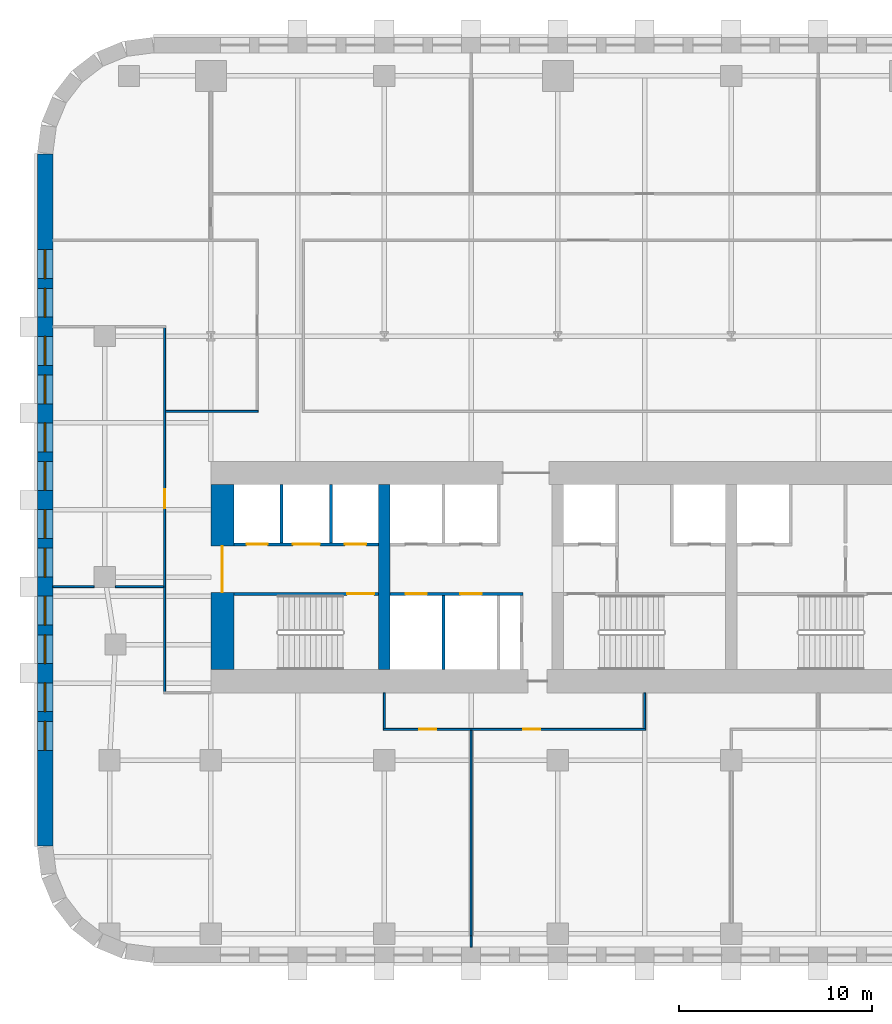
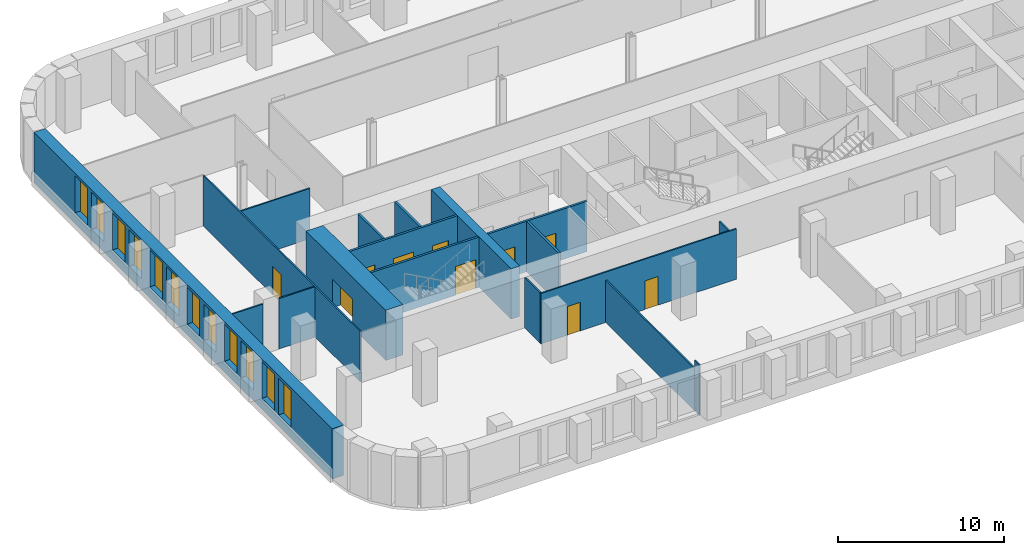
# One storey, part 3 of 12: 18 walls, 12 windows, 10 doors, 22 openings.
"""IFC4 building model written with IfcOpenShell, lengths in metres."""

from ifc_helpers import new_model, si_unit, direction, frame, frame_2d, origin, place, context, subcontext, project, spatial, rectangle, extrude, material, layer, layer_set, type_object, element, fill, save


model = new_model("IFC4")

# Units and contexts
model_context = context("Model", 3, precision=1e-05, world=origin(), true_north=direction((0.0, 1.0)))
body_context = subcontext(model_context, "Body", "Model", "MODEL_VIEW")
ifc_project = project(units=[si_unit("LENGTHUNIT", "METRE"), si_unit("AREAUNIT", "SQUARE_METRE"), si_unit("VOLUMEUNIT", "CUBIC_METRE"), si_unit("PLANEANGLEUNIT", "RADIAN"), si_unit("MASSUNIT", "GRAM", prefix="KILO")], contexts=[model_context])

# Site, building, storey
site_placement = place(None, origin())
site = spatial("IfcSite", under=ifc_project, at=site_placement, CompositionType="ELEMENT")
building_placement = place(site_placement, origin())
building = spatial("IfcBuilding", under=site, at=building_placement, Name="Zellij Exchange Tower", CompositionType="ELEMENT")
storey_placement = place(building_placement, frame((0.0, 0.0, 96.5)))
storey = spatial("IfcBuildingStorey", under=building, at=storey_placement, Name="L20", CompositionType="ELEMENT", Elevation=96.5)

# Walls
ifc_material_1 = material(Name="Concrete C70/85", Category="concrete")
ifc_layer_1 = layer(ifc_material_1, 0.60009765625)
ifc_layer_set_1 = layer_set([ifc_layer_1], Name="Concrete C70/85")
wall_type_1 = type_object("IfcWallType", Name="CORE-CW 600 C70/85", PredefinedType="SHEAR", material=ifc_layer_set_1)
wall_1_placement = place(storey_placement, frame((-18.0, -12.800048828125, 0.0), z_axis=(0.0, 0.0, 1.0), x_axis=(0.0, 1.0, 0.0)))
element("IfcWall", 1, at=wall_1_placement, inside=storey, type_object=wall_type_1, Name="Core cross wall x -18 L20", PredefinedType="SHEAR", context=body_context, shape_type="SweptSolid", body=[
    extrude(rectangle(XDim=9.60009765625, YDim=0.60009765625, at=frame_2d((4.800048828125, 0.0))), origin(), (0.0, 0.0, 1.0), 3.699951171875),
])
ifc_material_2 = material(Name="Gypsum shaft wall system")
ifc_layer_2 = layer(ifc_material_2, 0.14990234375)
ifc_layer_set_2 = layer_set([ifc_layer_2], Name="Gypsum shaft wall system")
wall_type_2 = type_object("IfcWallType", Name="CORE-PW 150 Lift shaft wall", PredefinedType="PARTITIONING", material=ifc_layer_set_2)
for number, where, z_axis, x_axis, name in (
    (2, (-20.77490234375, -6.22509765625, 0.0), (0.0, 0.0, 1.0), (0.0, 1.0, 0.0), "Lift shaft wall L20"),
    (3, (-23.324951171875, -6.22509765625, 0.0), (0.0, 0.0, 1.0), (0.0, 1.0, 0.0), "Lift shaft wall L20"),
):
    element("IfcWall", number, at=place(storey_placement, frame(where, z_axis=z_axis, x_axis=x_axis)), inside=storey, type_object=wall_type_2, Name=name, PredefinedType="PARTITIONING", context=body_context, shape_type="SweptSolid", body=[
        extrude(rectangle(XDim=3.025146484375, YDim=0.14990234375, at=frame_2d((1.5126953125, 0.0))), origin(), (0.0, 0.0, 1.0), 3.699951171875),
    ])
wall_2_placement = place(storey_placement, frame((-14.925048828125, -12.800048828125, 0.0), z_axis=(0.0, 0.0, 1.0), x_axis=(0.0, 1.0, 0.0)))
element("IfcWall", 4, at=wall_2_placement, inside=storey, type_object=wall_type_2, Name="Lift shaft wall L20", PredefinedType="PARTITIONING", context=body_context, shape_type="SweptSolid", body=[
    extrude(rectangle(XDim=3.85009765625, YDim=0.14990234375, at=frame_2d((1.925048828125, 0.0))), origin(), (0.0, 0.0, 1.0), 3.699951171875),
])

# Wall, openings, doors
wall_3_placement = place(storey_placement, frame((-25.800048828125, -6.300048828125, 0.0), z_axis=(0.0, 0.0, 1.0), x_axis=(1.0, 0.0, 0.0)))
wall_3 = element("IfcWall", 5, at=wall_3_placement, inside=storey, type_object=wall_type_2, Name="Lift shaft wall L20", PredefinedType="PARTITIONING", context=body_context, shape_type="SweptSolid", body=[
    extrude(rectangle(XDim=7.5, YDim=0.14990234375, at=frame_2d((3.75, 0.0))), origin(), (0.0, 0.0, 1.0), 3.699951171875),
])
opening_1_placement = place(wall_3_placement, frame((0.64990234375, 0.0, 0.0)))
opening_1 = element("IfcOpeningElement", 6, at=opening_1_placement, cuts=wall_3, Name="Opening CA-10.02", PredefinedType="OPENING", context=body_context, shape_type="SweptSolid", body=[
    extrude(rectangle(XDim=1.10009765625, YDim=2.10009765625, at=frame_2d((0.550048828125, 1.050048828125))), frame((0.0, 0.0869140625, 0.0), z_axis=(0.0, -1.0, 0.0), x_axis=(1.0, 0.0, 0.0)), (0.0, 0.0, 1.0), 0.173828125),
])
opening_2_placement = place(wall_3_placement, frame((3.050048828125, 0.0, 0.0)))
opening_2 = element("IfcOpeningElement", 7, at=opening_2_placement, cuts=wall_3, Name="Opening CA-10.03", PredefinedType="OPENING", context=body_context, shape_type="SweptSolid", body=[
    extrude(rectangle(XDim=1.39990234375, YDim=2.10009765625, at=frame_2d((0.699951171875, 1.050048828125))), frame((0.0, 0.0869140625, 0.0), z_axis=(0.0, -1.0, 0.0), x_axis=(1.0, 0.0, 0.0)), (0.0, 0.0, 1.0), 0.173828125),
])
opening_3_placement = place(wall_3_placement, frame((5.75, 0.0, 0.0)))
opening_3 = element("IfcOpeningElement", 8, at=opening_3_placement, cuts=wall_3, Name="Opening CA-10.04", PredefinedType="OPENING", context=body_context, shape_type="SweptSolid", body=[
    extrude(rectangle(XDim=1.10009765625, YDim=2.10009765625, at=frame_2d((0.550048828125, 1.050048828125))), frame((0.0, 0.0869140625, 0.0), z_axis=(0.0, -1.0, 0.0), x_axis=(1.0, 0.0, 0.0)), (0.0, 0.0, 1.0), 0.173828125),
])
ifc_material_3 = material(Name="Hollow metal fire door")
door_type_1 = type_object("IfcDoorType", Name="CORE-D LD Lift landing door 1100x2100 1.5 HR", OperationType="NOTDEFINED", PredefinedType="DOOR", material=ifc_material_3)
door_1_placement = place(opening_1_placement, origin())
door_1 = element("IfcDoor", 9, at=door_1_placement, inside=storey, type_object=door_type_1, Name="Lift landing door CA-10.02", OperationType="SLIDING_TO_RIGHT", OverallHeight=2.10009765625, OverallWidth=1.10009765625, PredefinedType="DOOR", context=body_context, shape_type="SweptSolid", body=[
    extrude(rectangle(XDim=1.10009765625, YDim=2.10009765625, at=frame_2d((0.550048828125, 1.050048828125))), frame((0.0, 0.02490234375, 0.0), z_axis=(0.0, -1.0, 0.0), x_axis=(1.0, 0.0, 0.0)), (0.0, 0.0, 1.0), 0.050048828125),
])
fill(opening_1, door_1)
door_2_placement = place(opening_3_placement, origin())
door_2 = element("IfcDoor", 10, at=door_2_placement, inside=storey, type_object=door_type_1, Name="Lift landing door CA-10.04", OperationType="SLIDING_TO_RIGHT", OverallHeight=2.10009765625, OverallWidth=1.10009765625, PredefinedType="DOOR", context=body_context, shape_type="SweptSolid", body=[
    extrude(rectangle(XDim=1.10009765625, YDim=2.10009765625, at=frame_2d((0.550048828125, 1.050048828125))), frame((0.0, 0.02490234375, 0.0), z_axis=(0.0, -1.0, 0.0), x_axis=(1.0, 0.0, 0.0)), (0.0, 0.0, 1.0), 0.050048828125),
])
fill(opening_3, door_2)
door_type_2 = type_object("IfcDoorType", Name="CORE-D LD2 Service lift landing door 1400x2100 1.5 HR", OperationType="NOTDEFINED", PredefinedType="DOOR", material=ifc_material_3)
door_3_placement = place(opening_2_placement, origin())
door_3 = element("IfcDoor", 11, at=door_3_placement, inside=storey, type_object=door_type_2, Name="Service lift landing door CA-10.03", OperationType="SLIDING_TO_LEFT", OverallHeight=2.10009765625, OverallWidth=1.39990234375, PredefinedType="DOOR", context=body_context, shape_type="SweptSolid", body=[
    extrude(rectangle(XDim=1.39990234375, YDim=2.10009765625, at=frame_2d((0.699951171875, 1.050048828125))), frame((0.0, 0.02490234375, 0.0), z_axis=(0.0, -1.0, 0.0), x_axis=(1.0, 0.0, 0.0)), (0.0, 0.0, 1.0), 0.050048828125),
])
fill(opening_2, door_3)

wall_4_placement = place(storey_placement, frame((-17.699951171875, -8.875, 0.0), z_axis=(0.0, 0.0, 1.0), x_axis=(1.0, 0.0, 0.0)))
wall_4 = element("IfcWall", 12, at=wall_4_placement, inside=storey, type_object=wall_type_2, Name="Lift shaft wall L20", PredefinedType="PARTITIONING", context=body_context, shape_type="SweptSolid", body=[
    extrude(rectangle(XDim=6.89990234375, YDim=0.14990234375, at=frame_2d((3.449951171875, 0.0))), origin(), (0.0, 0.0, 1.0), 3.699951171875),
])
opening_4_placement = place(wall_4_placement, frame((0.800048828125, 0.0, 0.0)))
opening_4 = element("IfcOpeningElement", 13, at=opening_4_placement, cuts=wall_4, Name="Opening CA-10.06", PredefinedType="OPENING", context=body_context, shape_type="SweptSolid", body=[
    extrude(rectangle(XDim=1.10009765625, YDim=2.10009765625, at=frame_2d((0.550048828125, 1.050048828125))), frame((0.0, 0.0869140625, 0.0), z_axis=(0.0, -1.0, 0.0), x_axis=(1.0, 0.0, 0.0)), (0.0, 0.0, 1.0), 0.173828125),
])
opening_5_placement = place(wall_4_placement, frame((3.64990234375, 0.0, 0.0)))
opening_5 = element("IfcOpeningElement", 14, at=opening_5_placement, cuts=wall_4, Name="Opening CA-10.08", PredefinedType="OPENING", context=body_context, shape_type="SweptSolid", body=[
    extrude(rectangle(XDim=1.10009765625, YDim=2.10009765625, at=frame_2d((0.550048828125, 1.050048828125))), frame((0.0, 0.0869140625, 0.0), z_axis=(0.0, -1.0, 0.0), x_axis=(1.0, 0.0, 0.0)), (0.0, 0.0, 1.0), 0.173828125),
])
door_4_placement = place(opening_4_placement, origin())
door_4 = element("IfcDoor", 15, at=door_4_placement, inside=storey, type_object=door_type_1, Name="Lift landing door CA-10.06", OperationType="SLIDING_TO_RIGHT", OverallHeight=2.10009765625, OverallWidth=1.10009765625, PredefinedType="DOOR", context=body_context, shape_type="SweptSolid", body=[
    extrude(rectangle(XDim=1.10009765625, YDim=2.10009765625, at=frame_2d((0.550048828125, 1.050048828125))), frame((0.0, 0.02490234375, 0.0), z_axis=(0.0, -1.0, 0.0), x_axis=(1.0, 0.0, 0.0)), (0.0, 0.0, 1.0), 0.050048828125),
])
fill(opening_4, door_4)
door_5_placement = place(opening_5_placement, origin())
door_5 = element("IfcDoor", 16, at=door_5_placement, inside=storey, type_object=door_type_1, Name="Lift landing door CA-10.08", OperationType="SLIDING_TO_RIGHT", OverallHeight=2.10009765625, OverallWidth=1.10009765625, PredefinedType="DOOR", context=body_context, shape_type="SweptSolid", body=[
    extrude(rectangle(XDim=1.10009765625, YDim=2.10009765625, at=frame_2d((0.550048828125, 1.050048828125))), frame((0.0, 0.02490234375, 0.0), z_axis=(0.0, -1.0, 0.0), x_axis=(1.0, 0.0, 0.0)), (0.0, 0.0, 1.0), 0.050048828125),
])
fill(opening_5, door_5)

# Wall, opening, door
ifc_layer_3 = layer(ifc_material_1, 1.199951171875)
ifc_layer_set_3 = layer_set([ifc_layer_3], Name="Concrete C70/85")
wall_type_3 = type_object("IfcWallType", Name="CORE-SW 1200 C70/85", PredefinedType="SHEAR", material=ifc_layer_set_3)
wall_5_placement = place(storey_placement, frame((-26.39990234375, -12.800048828125, 0.0), z_axis=(0.0, 0.0, 1.0), x_axis=(0.0, 1.0, 0.0)))
wall_5 = element("IfcWall", 17, at=wall_5_placement, inside=storey, type_object=wall_type_3, Name="Core shear wall end w L20", PredefinedType="SHEAR", context=body_context, shape_type="SweptSolid", body=[
    extrude(rectangle(XDim=9.60009765625, YDim=1.199951171875, at=frame_2d((4.800048828125, 0.0))), origin(), (0.0, 0.0, 1.0), 3.699951171875),
])
opening_6_placement = place(wall_5_placement, frame((4.011962890625, 0.0, 0.0)))
opening_6 = element("IfcOpeningElement", 18, at=opening_6_placement, cuts=wall_5, Name="Opening CA-10.01", PredefinedType="OPENING", context=body_context, shape_type="SweptSolid", body=[
    extrude(rectangle(XDim=2.39990234375, YDim=2.10009765625, at=frame_2d((1.199951171875, 1.050048828125))), frame((0.0, 0.61181640625, 0.0), z_axis=(0.0, -1.0, 0.0), x_axis=(1.0, 0.0, 0.0)), (0.0, 0.0, 1.0), 1.223876953125),
])
door_type_3 = type_object("IfcDoorType", Name="CORE-D CE Core entrance door 2400x2100 20 MIN", OperationType="NOTDEFINED", PredefinedType="DOOR", material=ifc_material_3)
door_6_placement = place(opening_6_placement, origin())
door_6 = element("IfcDoor", 19, at=door_6_placement, inside=storey, type_object=door_type_3, Name="Core entrance door CA-10.01", OperationType="DOUBLE_DOOR_SINGLE_SWING", OverallHeight=2.10009765625, OverallWidth=2.39990234375, PredefinedType="DOOR", context=body_context, shape_type="SweptSolid", body=[
    extrude(rectangle(XDim=2.39990234375, YDim=2.10009765625, at=frame_2d((1.199951171875, 1.050048828125))), frame((0.0, 0.02490234375, 0.0), z_axis=(0.0, -1.0, 0.0), x_axis=(1.0, 0.0, 0.0)), (0.0, 0.0, 1.0), 0.050048828125),
])
fill(opening_6, door_6)

ifc_layer_4 = layer(ifc_material_1, 0.14990234375)
ifc_layer_set_4 = layer_set([ifc_layer_4], Name="Concrete C70/85")
wall_type_4 = type_object("IfcWallType", Name="CORE-SWS 150 C70/85", PredefinedType="SHEAR", material=ifc_layer_set_4)
wall_6_placement = place(storey_placement, frame((-25.800048828125, -8.875, 0.0), z_axis=(0.0, 0.0, 1.0), x_axis=(1.0, 0.0, 0.0)))
wall_6 = element("IfcWall", 20, at=wall_6_placement, inside=storey, type_object=wall_type_4, Name="Stair enclosure wall L20", PredefinedType="SHEAR", context=body_context, shape_type="SweptSolid", body=[
    extrude(rectangle(XDim=7.5, YDim=0.14990234375, at=frame_2d((3.75, 0.0))), origin(), (0.0, 0.0, 1.0), 3.699951171875),
])
opening_7_placement = place(wall_6_placement, frame((5.875, 0.0, 0.0)))
opening_7 = element("IfcOpeningElement", 21, at=opening_7_placement, cuts=wall_6, Name="Opening CA-10.05", PredefinedType="OPENING", context=body_context, shape_type="SweptSolid", body=[
    extrude(rectangle(XDim=1.39990234375, YDim=2.10009765625, at=frame_2d((0.699951171875, 1.050048828125))), frame((0.0, 0.0869140625, 0.0), z_axis=(0.0, -1.0, 0.0), x_axis=(1.0, 0.0, 0.0)), (0.0, 0.0, 1.0), 0.173828125),
])
door_type_4 = type_object("IfcDoorType", Name="CORE-D SD Stair door 1400x2100 1.5 HR", OperationType="NOTDEFINED", PredefinedType="DOOR", material=ifc_material_3)
door_7_placement = place(opening_7_placement, origin())
door_7 = element("IfcDoor", 22, at=door_7_placement, inside=storey, type_object=door_type_4, Name="Stair door CA-10.05", OperationType="DOUBLE_DOOR_SINGLE_SWING", OverallHeight=2.10009765625, OverallWidth=1.39990234375, PredefinedType="DOOR", context=body_context, shape_type="SweptSolid", body=[
    extrude(rectangle(XDim=1.39990234375, YDim=2.10009765625, at=frame_2d((0.699951171875, 1.050048828125))), frame((0.0, 0.02490234375, 0.0), z_axis=(0.0, -1.0, 0.0), x_axis=(1.0, 0.0, 0.0)), (0.0, 0.0, 1.0), 0.050048828125),
])
fill(opening_7, door_7)

# Wall, openings, windows
ifc_material_4 = material(Name="Precast concrete C40/50", Category="concrete")
ifc_layer_5 = layer(ifc_material_4, 0.800048828125)
ifc_layer_set_5 = layer_set([ifc_layer_5], Name="Precast concrete C40/50")
wall_type_5 = type_object("IfcWallType", Name="ENV-EW1 Precast stone-piered wall 800", PredefinedType="SOLIDWALL", material=ifc_layer_set_5)
wall_7_placement = place(storey_placement, frame((-35.60009765625, 13.947509765625, 0.0), z_axis=(0.0, 0.0, 1.0), x_axis=(0.0, -1.0, 0.0)))
wall_7 = element("IfcWall", 23, at=wall_7_placement, inside=storey, type_object=wall_type_5, Name="fac.L20.21", PredefinedType="SOLIDWALL", context=body_context, shape_type="SweptSolid", body=[
    extrude(rectangle(XDim=35.89501953125, YDim=0.800048828125, at=frame_2d((17.947509765625, 0.0))), origin(), (0.0, 0.0, 1.0), 3.699951171875),
])
opening_8_placement = place(wall_7_placement, frame((4.9638671875, 0.0, 0.800048828125)))
opening_8 = element("IfcOpeningElement", 24, at=opening_8_placement, cuts=wall_7, Name="Opening FZ1.61", PredefinedType="OPENING", context=body_context, shape_type="SweptSolid", body=[
    extrude(rectangle(XDim=1.5, YDim=2.699951171875, at=frame_2d((0.75, 1.35009765625))), frame((0.0, 0.412109375, 0.0), z_axis=(0.0, -1.0, 0.0), x_axis=(1.0, 0.0, 0.0)), (0.0, 0.0, 1.0), 0.823974609375),
])
opening_9_placement = place(wall_7_placement, frame((6.9638671875, 0.0, 0.800048828125)))
opening_9 = element("IfcOpeningElement", 25, at=opening_9_placement, cuts=wall_7, Name="Opening FZ1.62", PredefinedType="OPENING", context=body_context, shape_type="SweptSolid", body=[
    extrude(rectangle(XDim=1.5, YDim=2.699951171875, at=frame_2d((0.75, 1.35009765625))), frame((0.0, 0.412109375, 0.0), z_axis=(0.0, -1.0, 0.0), x_axis=(1.0, 0.0, 0.0)), (0.0, 0.0, 1.0), 0.823974609375),
])
opening_10_placement = place(wall_7_placement, frame((9.45751953125, 0.0, 0.800048828125)))
opening_10 = element("IfcOpeningElement", 26, at=opening_10_placement, cuts=wall_7, Name="Opening FZ1.63", PredefinedType="OPENING", context=body_context, shape_type="SweptSolid", body=[
    extrude(rectangle(XDim=1.5, YDim=2.699951171875, at=frame_2d((0.75, 1.35009765625))), frame((0.0, 0.412109375, 0.0), z_axis=(0.0, -1.0, 0.0), x_axis=(1.0, 0.0, 0.0)), (0.0, 0.0, 1.0), 0.823974609375),
])
opening_11_placement = place(wall_7_placement, frame((11.45751953125, 0.0, 0.800048828125)))
opening_11 = element("IfcOpeningElement", 27, at=opening_11_placement, cuts=wall_7, Name="Opening FZ1.64", PredefinedType="OPENING", context=body_context, shape_type="SweptSolid", body=[
    extrude(rectangle(XDim=1.5, YDim=2.699951171875, at=frame_2d((0.75, 1.35009765625))), frame((0.0, 0.412109375, 0.0), z_axis=(0.0, -1.0, 0.0), x_axis=(1.0, 0.0, 0.0)), (0.0, 0.0, 1.0), 0.823974609375),
])
opening_12_placement = place(wall_7_placement, frame((13.950927734375, 0.0, 0.800048828125)))
opening_12 = element("IfcOpeningElement", 28, at=opening_12_placement, cuts=wall_7, Name="Opening FZ1.65", PredefinedType="OPENING", context=body_context, shape_type="SweptSolid", body=[
    extrude(rectangle(XDim=1.5, YDim=2.699951171875, at=frame_2d((0.75, 1.35009765625))), frame((0.0, 0.412109375, 0.0), z_axis=(0.0, -1.0, 0.0), x_axis=(1.0, 0.0, 0.0)), (0.0, 0.0, 1.0), 0.823974609375),
])
opening_13_placement = place(wall_7_placement, frame((15.95068359375, 0.0, 0.800048828125)))
opening_13 = element("IfcOpeningElement", 29, at=opening_13_placement, cuts=wall_7, Name="Opening FZ1.66", PredefinedType="OPENING", context=body_context, shape_type="SweptSolid", body=[
    extrude(rectangle(XDim=1.5, YDim=2.699951171875, at=frame_2d((0.75, 1.35009765625))), frame((0.0, 0.412109375, 0.0), z_axis=(0.0, -1.0, 0.0), x_axis=(1.0, 0.0, 0.0)), (0.0, 0.0, 1.0), 0.823974609375),
])
opening_14_placement = place(wall_7_placement, frame((18.4443359375, 0.0, 0.800048828125)))
opening_14 = element("IfcOpeningElement", 30, at=opening_14_placement, cuts=wall_7, Name="Opening FZ1.67", PredefinedType="OPENING", context=body_context, shape_type="SweptSolid", body=[
    extrude(rectangle(XDim=1.5, YDim=2.699951171875, at=frame_2d((0.75, 1.35009765625))), frame((0.0, 0.412109375, 0.0), z_axis=(0.0, -1.0, 0.0), x_axis=(1.0, 0.0, 0.0)), (0.0, 0.0, 1.0), 0.823974609375),
])
opening_15_placement = place(wall_7_placement, frame((20.4443359375, 0.0, 0.800048828125)))
opening_15 = element("IfcOpeningElement", 31, at=opening_15_placement, cuts=wall_7, Name="Opening FZ1.68", PredefinedType="OPENING", context=body_context, shape_type="SweptSolid", body=[
    extrude(rectangle(XDim=1.5, YDim=2.699951171875, at=frame_2d((0.75, 1.35009765625))), frame((0.0, 0.412109375, 0.0), z_axis=(0.0, -1.0, 0.0), x_axis=(1.0, 0.0, 0.0)), (0.0, 0.0, 1.0), 0.823974609375),
])
opening_16_placement = place(wall_7_placement, frame((22.937744140625, 0.0, 0.800048828125)))
opening_16 = element("IfcOpeningElement", 32, at=opening_16_placement, cuts=wall_7, Name="Opening FZ1.69", PredefinedType="OPENING", context=body_context, shape_type="SweptSolid", body=[
    extrude(rectangle(XDim=1.5, YDim=2.699951171875, at=frame_2d((0.75, 1.35009765625))), frame((0.0, 0.412109375, 0.0), z_axis=(0.0, -1.0, 0.0), x_axis=(1.0, 0.0, 0.0)), (0.0, 0.0, 1.0), 0.823974609375),
])
opening_17_placement = place(wall_7_placement, frame((24.937744140625, 0.0, 0.800048828125)))
opening_17 = element("IfcOpeningElement", 33, at=opening_17_placement, cuts=wall_7, Name="Opening FZ1.70", PredefinedType="OPENING", context=body_context, shape_type="SweptSolid", body=[
    extrude(rectangle(XDim=1.5, YDim=2.699951171875, at=frame_2d((0.75, 1.35009765625))), frame((0.0, 0.412109375, 0.0), z_axis=(0.0, -1.0, 0.0), x_axis=(1.0, 0.0, 0.0)), (0.0, 0.0, 1.0), 0.823974609375),
])
opening_18_placement = place(wall_7_placement, frame((27.43115234375, 0.0, 0.800048828125)))
opening_18 = element("IfcOpeningElement", 34, at=opening_18_placement, cuts=wall_7, Name="Opening FZ1.71", PredefinedType="OPENING", context=body_context, shape_type="SweptSolid", body=[
    extrude(rectangle(XDim=1.5, YDim=2.699951171875, at=frame_2d((0.75, 1.35009765625))), frame((0.0, 0.412109375, 0.0), z_axis=(0.0, -1.0, 0.0), x_axis=(1.0, 0.0, 0.0)), (0.0, 0.0, 1.0), 0.823974609375),
])
opening_19_placement = place(wall_7_placement, frame((29.43115234375, 0.0, 0.800048828125)))
opening_19 = element("IfcOpeningElement", 35, at=opening_19_placement, cuts=wall_7, Name="Opening FZ1.72", PredefinedType="OPENING", context=body_context, shape_type="SweptSolid", body=[
    extrude(rectangle(XDim=1.5, YDim=2.699951171875, at=frame_2d((0.75, 1.35009765625))), frame((0.0, 0.412109375, 0.0), z_axis=(0.0, -1.0, 0.0), x_axis=(1.0, 0.0, 0.0)), (0.0, 0.0, 1.0), 0.823974609375),
])
ifc_material_5 = material(Name="Aluminium frame with insulating glass", Category="aluminium")
window_type = type_object("IfcWindowType", Name="ENV-W6 Window 1500x2700", PartitioningType="SINGLE_PANEL", PredefinedType="WINDOW", material=ifc_material_5)
window_1_placement = place(opening_8_placement, origin())
window_1 = element("IfcWindow", 36, at=window_1_placement, inside=storey, type_object=window_type, Name="Window FZ1.61", OverallHeight=2.699951171875, OverallWidth=1.5, PartitioningType="SINGLE_PANEL", PredefinedType="WINDOW", context=body_context, shape_type="SweptSolid", body=[
    extrude(rectangle(XDim=1.5, YDim=2.699951171875, at=frame_2d((0.75, 1.35009765625))), frame((0.0, 0.030029296875, 0.0), z_axis=(0.0, -1.0, 0.0), x_axis=(1.0, 0.0, 0.0)), (0.0, 0.0, 1.0), 0.06005859375),
])
fill(opening_8, window_1)
window_2_placement = place(opening_9_placement, origin())
window_2 = element("IfcWindow", 37, at=window_2_placement, inside=storey, type_object=window_type, Name="Window FZ1.62", OverallHeight=2.699951171875, OverallWidth=1.5, PartitioningType="SINGLE_PANEL", PredefinedType="WINDOW", context=body_context, shape_type="SweptSolid", body=[
    extrude(rectangle(XDim=1.5, YDim=2.699951171875, at=frame_2d((0.75, 1.35009765625))), frame((0.0, 0.030029296875, 0.0), z_axis=(0.0, -1.0, 0.0), x_axis=(1.0, 0.0, 0.0)), (0.0, 0.0, 1.0), 0.06005859375),
])
fill(opening_9, window_2)
window_3_placement = place(opening_10_placement, origin())
window_3 = element("IfcWindow", 38, at=window_3_placement, inside=storey, type_object=window_type, Name="Window FZ1.63", OverallHeight=2.699951171875, OverallWidth=1.5, PartitioningType="SINGLE_PANEL", PredefinedType="WINDOW", context=body_context, shape_type="SweptSolid", body=[
    extrude(rectangle(XDim=1.5, YDim=2.699951171875, at=frame_2d((0.75, 1.35009765625))), frame((0.0, 0.030029296875, 0.0), z_axis=(0.0, -1.0, 0.0), x_axis=(1.0, 0.0, 0.0)), (0.0, 0.0, 1.0), 0.06005859375),
])
fill(opening_10, window_3)
window_4_placement = place(opening_11_placement, origin())
window_4 = element("IfcWindow", 39, at=window_4_placement, inside=storey, type_object=window_type, Name="Window FZ1.64", OverallHeight=2.699951171875, OverallWidth=1.5, PartitioningType="SINGLE_PANEL", PredefinedType="WINDOW", context=body_context, shape_type="SweptSolid", body=[
    extrude(rectangle(XDim=1.5, YDim=2.699951171875, at=frame_2d((0.75, 1.35009765625))), frame((0.0, 0.030029296875, 0.0), z_axis=(0.0, -1.0, 0.0), x_axis=(1.0, 0.0, 0.0)), (0.0, 0.0, 1.0), 0.06005859375),
])
fill(opening_11, window_4)
window_5_placement = place(opening_12_placement, origin())
window_5 = element("IfcWindow", 40, at=window_5_placement, inside=storey, type_object=window_type, Name="Window FZ1.65", OverallHeight=2.699951171875, OverallWidth=1.5, PartitioningType="SINGLE_PANEL", PredefinedType="WINDOW", context=body_context, shape_type="SweptSolid", body=[
    extrude(rectangle(XDim=1.5, YDim=2.699951171875, at=frame_2d((0.75, 1.35009765625))), frame((0.0, 0.030029296875, 0.0), z_axis=(0.0, -1.0, 0.0), x_axis=(1.0, 0.0, 0.0)), (0.0, 0.0, 1.0), 0.06005859375),
])
fill(opening_12, window_5)
window_6_placement = place(opening_13_placement, origin())
window_6 = element("IfcWindow", 41, at=window_6_placement, inside=storey, type_object=window_type, Name="Window FZ1.66", OverallHeight=2.699951171875, OverallWidth=1.5, PartitioningType="SINGLE_PANEL", PredefinedType="WINDOW", context=body_context, shape_type="SweptSolid", body=[
    extrude(rectangle(XDim=1.5, YDim=2.699951171875, at=frame_2d((0.75, 1.35009765625))), frame((0.0, 0.030029296875, 0.0), z_axis=(0.0, -1.0, 0.0), x_axis=(1.0, 0.0, 0.0)), (0.0, 0.0, 1.0), 0.06005859375),
])
fill(opening_13, window_6)
window_7_placement = place(opening_14_placement, origin())
window_7 = element("IfcWindow", 42, at=window_7_placement, inside=storey, type_object=window_type, Name="Window FZ1.67", OverallHeight=2.699951171875, OverallWidth=1.5, PartitioningType="SINGLE_PANEL", PredefinedType="WINDOW", context=body_context, shape_type="SweptSolid", body=[
    extrude(rectangle(XDim=1.5, YDim=2.699951171875, at=frame_2d((0.75, 1.35009765625))), frame((0.0, 0.030029296875, 0.0), z_axis=(0.0, -1.0, 0.0), x_axis=(1.0, 0.0, 0.0)), (0.0, 0.0, 1.0), 0.06005859375),
])
fill(opening_14, window_7)
window_8_placement = place(opening_15_placement, origin())
window_8 = element("IfcWindow", 43, at=window_8_placement, inside=storey, type_object=window_type, Name="Window FZ1.68", OverallHeight=2.699951171875, OverallWidth=1.5, PartitioningType="SINGLE_PANEL", PredefinedType="WINDOW", context=body_context, shape_type="SweptSolid", body=[
    extrude(rectangle(XDim=1.5, YDim=2.699951171875, at=frame_2d((0.75, 1.35009765625))), frame((0.0, 0.030029296875, 0.0), z_axis=(0.0, -1.0, 0.0), x_axis=(1.0, 0.0, 0.0)), (0.0, 0.0, 1.0), 0.06005859375),
])
fill(opening_15, window_8)
window_9_placement = place(opening_16_placement, origin())
window_9 = element("IfcWindow", 44, at=window_9_placement, inside=storey, type_object=window_type, Name="Window FZ1.69", OverallHeight=2.699951171875, OverallWidth=1.5, PartitioningType="SINGLE_PANEL", PredefinedType="WINDOW", context=body_context, shape_type="SweptSolid", body=[
    extrude(rectangle(XDim=1.5, YDim=2.699951171875, at=frame_2d((0.75, 1.35009765625))), frame((0.0, 0.030029296875, 0.0), z_axis=(0.0, -1.0, 0.0), x_axis=(1.0, 0.0, 0.0)), (0.0, 0.0, 1.0), 0.06005859375),
])
fill(opening_16, window_9)
window_10_placement = place(opening_17_placement, origin())
window_10 = element("IfcWindow", 45, at=window_10_placement, inside=storey, type_object=window_type, Name="Window FZ1.70", OverallHeight=2.699951171875, OverallWidth=1.5, PartitioningType="SINGLE_PANEL", PredefinedType="WINDOW", context=body_context, shape_type="SweptSolid", body=[
    extrude(rectangle(XDim=1.5, YDim=2.699951171875, at=frame_2d((0.75, 1.35009765625))), frame((0.0, 0.030029296875, 0.0), z_axis=(0.0, -1.0, 0.0), x_axis=(1.0, 0.0, 0.0)), (0.0, 0.0, 1.0), 0.06005859375),
])
fill(opening_17, window_10)
window_11_placement = place(opening_18_placement, origin())
window_11 = element("IfcWindow", 46, at=window_11_placement, inside=storey, type_object=window_type, Name="Window FZ1.71", OverallHeight=2.699951171875, OverallWidth=1.5, PartitioningType="SINGLE_PANEL", PredefinedType="WINDOW", context=body_context, shape_type="SweptSolid", body=[
    extrude(rectangle(XDim=1.5, YDim=2.699951171875, at=frame_2d((0.75, 1.35009765625))), frame((0.0, 0.030029296875, 0.0), z_axis=(0.0, -1.0, 0.0), x_axis=(1.0, 0.0, 0.0)), (0.0, 0.0, 1.0), 0.06005859375),
])
fill(opening_18, window_11)
window_12_placement = place(opening_19_placement, origin())
window_12 = element("IfcWindow", 47, at=window_12_placement, inside=storey, type_object=window_type, Name="Window FZ1.72", OverallHeight=2.699951171875, OverallWidth=1.5, PartitioningType="SINGLE_PANEL", PredefinedType="WINDOW", context=body_context, shape_type="SweptSolid", body=[
    extrude(rectangle(XDim=1.5, YDim=2.699951171875, at=frame_2d((0.75, 1.35009765625))), frame((0.0, 0.030029296875, 0.0), z_axis=(0.0, -1.0, 0.0), x_axis=(1.0, 0.0, 0.0)), (0.0, 0.0, 1.0), 0.06005859375),
])
fill(opening_19, window_12)

# Walls
ifc_material_6 = material(Name="Gypsum board partition on steel studs", Category="steel")
ifc_layer_6 = layer(ifc_material_6, 0.10009765625)
ifc_layer_set_6 = layer_set([ifc_layer_6], Name="Gypsum board partition on steel studs")
wall_type_6 = type_object("IfcWallType", Name="FIT-PARTITION-100", PredefinedType="PARTITIONING", material=ifc_layer_set_6)
wall_8_placement = place(storey_placement, frame((-13.5, -27.199951171875, 0.0), z_axis=(0.0, 0.0, 1.0), x_axis=(0.0, 1.0, 0.0)))
element("IfcWall", 48, at=wall_8_placement, inside=storey, type_object=wall_type_6, Name="FIT-PARTITION-100 001", PredefinedType="PARTITIONING", context=body_context, shape_type="SweptSolid", body=[
    extrude(rectangle(XDim=0.58544921875, YDim=0.10009765625, at=frame_2d((0.292724609375, 0.0))), origin(), (0.0, 0.0, 1.0), 3.699951171875),
])
wall_9_placement = place(storey_placement, frame((-13.5, -26.614501953125, 0.0), z_axis=(0.0, 0.0, 1.0), x_axis=(0.0, 1.0, 0.0)))
element("IfcWall", 49, at=wall_9_placement, inside=storey, type_object=wall_type_6, Name="FIT-PARTITION-100 002", PredefinedType="PARTITIONING", context=body_context, shape_type="SweptSolid", body=[
    extrude(rectangle(XDim=10.66455078125, YDim=0.10009765625, at=frame_2d((5.332275390625, 0.0))), origin(), (0.0, 0.0, 1.0), 3.097900390625),
])

# Wall, openings, doors
wall_10_placement = place(storey_placement, frame((-18.050048828125, -15.89990234375, 0.0), z_axis=(0.0, 0.0, 1.0), x_axis=(1.0, 0.0, 0.0)))
wall_10 = element("IfcWall", 50, at=wall_10_placement, inside=storey, type_object=wall_type_6, Name="FIT-PARTITION-100 007", PredefinedType="PARTITIONING", context=body_context, shape_type="SweptSolid", body=[
    extrude(rectangle(XDim=13.60009765625, YDim=0.10009765625, at=frame_2d((6.800048828125, 0.0))), origin(), (0.0, 0.0, 1.0), 3.699951171875),
])
opening_20_placement = place(wall_10_placement, frame((1.85009765625, 0.0, 0.0)))
opening_20 = element("IfcOpeningElement", 51, at=opening_20_placement, cuts=wall_10, Name="Opening TD.01", PredefinedType="OPENING", context=body_context, shape_type="SweptSolid", body=[
    extrude(rectangle(XDim=0.89990234375, YDim=2.10009765625, at=frame_2d((0.449951171875, 1.050048828125))), frame((0.0, 0.06201171875, 0.0), z_axis=(0.0, -1.0, 0.0), x_axis=(1.0, 0.0, 0.0)), (0.0, 0.0, 1.0), 0.1240234375),
])
opening_21_placement = place(wall_10_placement, frame((7.25, 0.0, 0.0)))
opening_21 = element("IfcOpeningElement", 52, at=opening_21_placement, cuts=wall_10, Name="Opening TD.02", PredefinedType="OPENING", context=body_context, shape_type="SweptSolid", body=[
    extrude(rectangle(XDim=0.89990234375, YDim=2.10009765625, at=frame_2d((0.449951171875, 1.050048828125))), frame((0.0, 0.06201171875, 0.0), z_axis=(0.0, -1.0, 0.0), x_axis=(1.0, 0.0, 0.0)), (0.0, 0.0, 1.0), 0.1240234375),
])
ifc_material_7 = material(Name="Timber door set", Category="wood")
door_type_5 = type_object("IfcDoorType", Name="FIT-D1-ROOM-900X2100", OperationType="SINGLE_SWING_LEFT", PredefinedType="DOOR", material=ifc_material_7)
door_8_placement = place(opening_20_placement, origin())
door_8 = element("IfcDoor", 53, at=door_8_placement, inside=storey, type_object=door_type_5, Name="Door TD.01", OperationType="SINGLE_SWING_LEFT", OverallHeight=2.10009765625, OverallWidth=0.89990234375, PredefinedType="DOOR", context=body_context, shape_type="SweptSolid", body=[
    extrude(rectangle(XDim=0.89990234375, YDim=2.10009765625, at=frame_2d((0.449951171875, 1.050048828125))), frame((0.0, 0.02490234375, 0.0), z_axis=(0.0, -1.0, 0.0), x_axis=(1.0, 0.0, 0.0)), (0.0, 0.0, 1.0), 0.050048828125),
])
fill(opening_20, door_8)
door_9_placement = place(opening_21_placement, origin())
door_9 = element("IfcDoor", 54, at=door_9_placement, inside=storey, type_object=door_type_5, Name="Door TD.02", OperationType="SINGLE_SWING_LEFT", OverallHeight=2.10009765625, OverallWidth=0.89990234375, PredefinedType="DOOR", context=body_context, shape_type="SweptSolid", body=[
    extrude(rectangle(XDim=0.89990234375, YDim=2.10009765625, at=frame_2d((0.449951171875, 1.050048828125))), frame((0.0, 0.02490234375, 0.0), z_axis=(0.0, -1.0, 0.0), x_axis=(1.0, 0.0, 0.0)), (0.0, 0.0, 1.0), 0.050048828125),
])
fill(opening_21, door_9)

# Walls
wall_11_placement = place(storey_placement, frame((-18.0, -15.85009765625, 0.0), z_axis=(0.0, 0.0, 1.0), x_axis=(0.0, 1.0, 0.0)))
element("IfcWall", 55, at=wall_11_placement, inside=storey, type_object=wall_type_6, Name="FIT-PARTITION-100 008", PredefinedType="PARTITIONING", context=body_context, shape_type="SweptSolid", body=[
    extrude(rectangle(XDim=1.85009765625, YDim=0.10009765625, at=frame_2d((0.925048828125, 0.0))), origin(), (0.0, 0.0, 1.0), 3.699951171875),
])
wall_12_placement = place(storey_placement, frame((-4.5, -15.85009765625, 0.0), z_axis=(0.0, 0.0, 1.0), x_axis=(0.0, 1.0, 0.0)))
element("IfcWall", 56, at=wall_12_placement, inside=storey, type_object=wall_type_6, Name="FIT-PARTITION-100 009", PredefinedType="PARTITIONING", context=body_context, shape_type="SweptSolid", body=[
    extrude(rectangle(XDim=1.85009765625, YDim=0.10009765625, at=frame_2d((0.925048828125, 0.0))), origin(), (0.0, 0.0, 1.0), 3.097900390625),
])

# Wall, opening, door
wall_13_placement = place(storey_placement, frame((-29.39990234375, -13.949951171875, 0.0), z_axis=(0.0, 0.0, 1.0), x_axis=(0.0, 1.0, 0.0)))
wall_13 = element("IfcWall", 57, at=wall_13_placement, inside=storey, type_object=wall_type_6, Name="FIT-PARTITION-100 014", PredefinedType="PARTITIONING", context=body_context, shape_type="SweptSolid", body=[
    extrude(rectangle(XDim=18.889892578125, YDim=0.10009765625, at=frame_2d((9.44482421875, 0.0))), origin(), (0.0, 0.0, 1.0), 3.699951171875),
])
opening_22_placement = place(wall_13_placement, frame((9.510009765625, 0.0, 0.0)))
opening_22 = element("IfcOpeningElement", 58, at=opening_22_placement, cuts=wall_13, Name="Opening TD.06", PredefinedType="OPENING", context=body_context, shape_type="SweptSolid", body=[
    extrude(rectangle(XDim=1.0, YDim=2.10009765625, at=frame_2d((0.5, 1.050048828125))), frame((0.0, 0.06201171875, 0.0), z_axis=(0.0, -1.0, 0.0), x_axis=(1.0, 0.0, 0.0)), (0.0, 0.0, 1.0), 0.1240234375),
])
door_type_6 = type_object("IfcDoorType", Name="FIT-D2-WIDE-1000X2100", OperationType="SINGLE_SWING_LEFT", PredefinedType="DOOR", material=ifc_material_7)
door_10_placement = place(opening_22_placement, origin())
door_10 = element("IfcDoor", 59, at=door_10_placement, inside=storey, type_object=door_type_6, Name="Door TD.06", OperationType="SINGLE_SWING_LEFT", OverallHeight=2.10009765625, OverallWidth=1.0, PredefinedType="DOOR", context=body_context, shape_type="SweptSolid", body=[
    extrude(rectangle(XDim=1.0, YDim=2.10009765625, at=frame_2d((0.5, 1.050048828125))), frame((0.0, 0.02490234375, 0.0), z_axis=(0.0, -1.0, 0.0), x_axis=(1.0, 0.0, 0.0)), (0.0, 0.0, 1.0), 0.050048828125),
])
fill(opening_22, door_10)

# Walls
wall_14_placement = place(storey_placement, frame((-35.199951171875, -8.489990234375, 0.0), z_axis=(0.0, 0.0, 1.0), x_axis=(1.0, 0.0, 0.0)))
element("IfcWall", 60, at=wall_14_placement, inside=storey, type_object=wall_type_6, Name="FIT-PARTITION-100 017", PredefinedType="PARTITIONING", context=body_context, shape_type="SweptSolid", body=[
    extrude(rectangle(XDim=2.14990234375, YDim=0.10009765625, at=frame_2d((1.074951171875, 0.0))), origin(), (0.0, 0.0, 1.0), 3.699951171875),
])
wall_15_placement = place(storey_placement, frame((-31.949951171875, -8.489990234375, 0.0), z_axis=(0.0, 0.0, 1.0), x_axis=(1.0, 0.0, 0.0)))
element("IfcWall", 61, at=wall_15_placement, inside=storey, type_object=wall_type_6, Name="FIT-PARTITION-100 018", PredefinedType="PARTITIONING", context=body_context, shape_type="SweptSolid", body=[
    extrude(rectangle(XDim=2.5, YDim=0.10009765625, at=frame_2d((1.25, 0.0))), origin(), (0.0, 0.0, 1.0), 3.699951171875),
])
wall_16_placement = place(storey_placement, frame((-29.35009765625, 0.60009765625, 0.0), z_axis=(0.0, 0.0, 1.0), x_axis=(1.0, 0.0, 0.0)))
element("IfcWall", 62, at=wall_16_placement, inside=storey, type_object=wall_type_6, Name="FIT-PARTITION-100 024", PredefinedType="PARTITIONING", context=body_context, shape_type="SweptSolid", body=[
    extrude(rectangle(XDim=4.800048828125, YDim=0.10009765625, at=frame_2d((2.39990234375, 0.0))), origin(), (0.0, 0.0, 1.0), 3.699951171875),
])

save(model, "model.ifc")
